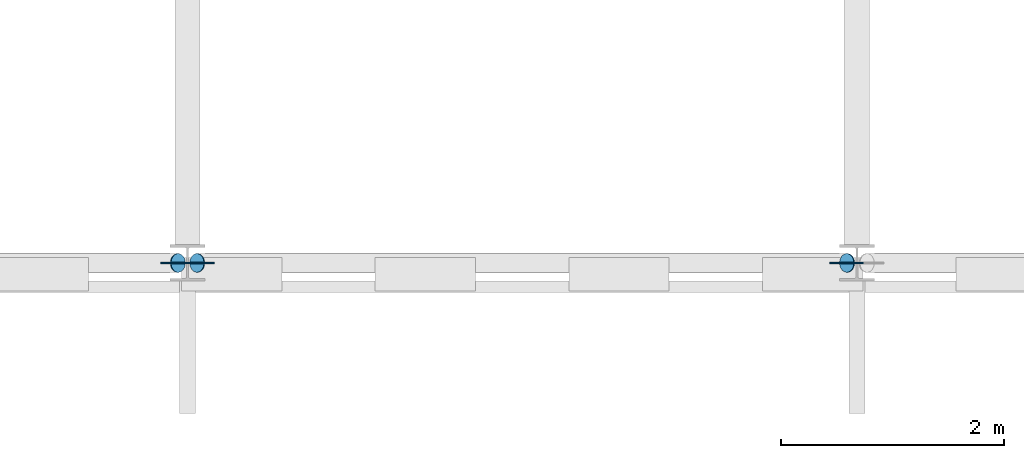
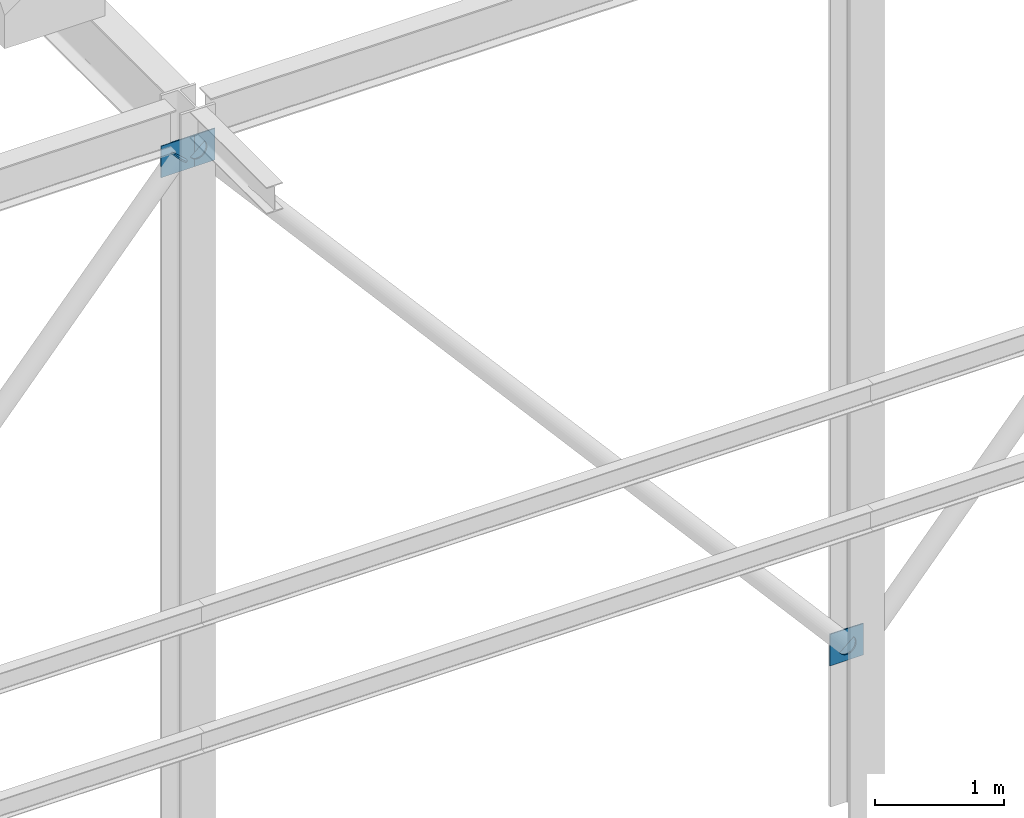
# One storey, part 39 of 57: 6 discrete accessories.
"""IFC4 building model written with IfcOpenShell, lengths in metres."""

import ifcopenshell
import ifcopenshell.guid

model = None  # the IFC model being written
_history = None  # IfcOwnerHistory: only IFC2X3 demands one
_inside = {}  # id of a spatial element -> (the spatial element, [elements in it])
_under = {}  # id of a project, library or spatial element -> (it, [spatial elements below it])
_declared = {}  # id of a project -> (the project, [libraries it declares])
_typed = {}  # id of a type object -> (the type object, [elements of that type])
_made_of = {}  # id of a material, layer set ... -> (it, [elements and type objects made of it])


def new_model(schema):
    """Start an empty IFC model of exactly this schema.

    Asked for "IFC4X3", IfcOpenShell would pick the latest addendum, in which some entities
    have other attributes; the version numbers below select the first issue.
    IFC2X3 requires an IfcOwnerHistory on every rooted entity: one is made here for all.
    """
    global model, _history
    if schema == "IFC4X3":
        model = ifcopenshell.file(schema_version=(4, 3, 0, 0))
    else:
        model = ifcopenshell.file(schema=schema)
    _inside.clear()
    _under.clear()
    _declared.clear()
    _typed.clear()
    _made_of.clear()
    _history = None
    if model.schema == "IFC2X3":
        org = make("IfcOrganization", Name="unknown")
        user = make(
            "IfcPersonAndOrganization",
            ThePerson=make("IfcPerson", FamilyName="unknown"),
            TheOrganization=org,
        )
        app = make(
            "IfcApplication",
            ApplicationDeveloper=org,
            Version="unknown",
            ApplicationFullName="unknown",
            ApplicationIdentifier="unknown",
        )
        _history = make(
            "IfcOwnerHistory",
            OwningUser=user,
            OwningApplication=app,
            ChangeAction="ADDED",
            CreationDate=0,
        )
    return model


def make(cls, **values):
    """One entity of the class cls with the attributes given. An attribute that is None is left unset."""
    return model.create_entity(
        cls, **{name: value for name, value in values.items() if value is not None}
    )


def rooted(cls, **values):
    """An entity with a GlobalId (a new one), such as an element, a storey or a relation."""
    return make(cls, GlobalId=ifcopenshell.guid.new(), OwnerHistory=_history, **values)


def si_unit(unit_type, name, prefix=None):
    """IfcSIUnit, for example si_unit("LENGTHUNIT", "METRE", prefix="MILLI")."""
    return make("IfcSIUnit", UnitType=unit_type, Prefix=prefix, Name=name)


def assignment(units):
    """IfcUnitAssignment: the units of a project."""
    return None if units is None else make("IfcUnitAssignment", Units=units)


def point(xyz):
    """IfcCartesianPoint."""
    return None if xyz is None else make("IfcCartesianPoint", Coordinates=xyz)


def direction(xyz):
    """IfcDirection."""
    return None if xyz is None else make("IfcDirection", DirectionRatios=xyz)


def frame(location, z_axis=None, x_axis=None):
    """IfcAxis2Placement3D, a coordinate frame: its origin and axes. An axis left out is left unset."""
    return make(
        "IfcAxis2Placement3D",
        Location=point(location),
        Axis=direction(z_axis),
        RefDirection=direction(x_axis),
    )


def frame_2d(location, x_axis=None):
    """IfcAxis2Placement2D, a coordinate frame in the plane: its origin and x axis."""
    return make(
        "IfcAxis2Placement2D", Location=point(location), RefDirection=direction(x_axis)
    )


def origin():
    """The frame at (0, 0, 0) with its axes left unset."""
    return frame((0.0, 0.0, 0.0))


def origin_2d():
    """The frame at (0, 0) in the plane with its x axis left unset."""
    return frame_2d((0.0, 0.0))


def place(relative_to, where):
    """IfcLocalPlacement: puts the frame where relative to a parent placement (None: the world)."""
    return make(
        "IfcLocalPlacement", PlacementRelTo=relative_to, RelativePlacement=where
    )


def context(
    kind, dimensions, precision=None, world=None, true_north=None, identifier=None
):
    """IfcGeometricRepresentationContext, for example the 3D "Model" context."""
    return make(
        "IfcGeometricRepresentationContext",
        ContextIdentifier=identifier,
        ContextType=kind,
        CoordinateSpaceDimension=dimensions,
        Precision=precision,
        WorldCoordinateSystem=world,
        TrueNorth=true_north,
    )


def subcontext(parent, identifier, kind, view, scale=None):
    """IfcGeometricRepresentationSubContext, for example "Body" below "Model"."""
    return make(
        "IfcGeometricRepresentationSubContext",
        ContextIdentifier=identifier,
        ContextType=kind,
        ParentContext=parent,
        TargetScale=scale,
        TargetView=view,
    )


def project(units=None, contexts=None):
    """IfcProject with its units and contexts."""
    return rooted(
        "IfcProject",
        Name="project",
        RepresentationContexts=contexts,
        UnitsInContext=assignment(units),
    )


def spatial(cls, under=None, at=None, **own):
    """A site, building, storey or space (cls), placed at a placement, below another one or the project."""
    s = rooted(cls, ObjectPlacement=at, **own)
    if under is not None:
        _under.setdefault(under.id(), (under, []))[1].append(s)
    return s


def profile(cls, at=None, kind="AREA", **sizes):
    """A parametric profile (cls). Its sizes go by their IFC names, for example OverallWidth=200.0."""
    return make(cls, ProfileType=kind, Position=at, **sizes)


def rectangle(**sizes):
    """IfcRectangleProfileDef."""
    return profile("IfcRectangleProfileDef", **sizes)


def circle(**sizes):
    """IfcCircleProfileDef."""
    return profile("IfcCircleProfileDef", **sizes)


def extrude(swept, where, along, depth):
    """IfcExtrudedAreaSolid: the profile swept, set in the frame where, extruded along a direction by depth."""
    return make(
        "IfcExtrudedAreaSolid",
        SweptArea=swept,
        Position=where,
        ExtrudedDirection=direction(along),
        Depth=depth,
    )


def shape(context_of_items, identifier, shape_type, items):
    """IfcShapeRepresentation: the items that make up one representation, for example the "Body"."""
    return make(
        "IfcShapeRepresentation",
        ContextOfItems=context_of_items,
        RepresentationIdentifier=identifier,
        RepresentationType=shape_type,
        Items=items,
    )


def material(Name=None, Category=None):
    """IfcMaterial."""
    return make("IfcMaterial", Name=Name, Category=Category)


def material_profile(
    of_material, cross_section, Name=None, Category=None, Priority=None
):
    """IfcMaterialProfile: a cross section and its material."""
    return make(
        "IfcMaterialProfile",
        Name=Name,
        Material=of_material,
        Profile=cross_section,
        Priority=Priority,
        Category=Category,
    )


def profile_set(profiles, Name=None, composite=None):
    """IfcMaterialProfileSet."""
    return make(
        "IfcMaterialProfileSet",
        Name=Name,
        MaterialProfiles=profiles,
        CompositeProfile=composite,
    )


def made_of(thing, what):
    """Note that an element or type object is made of a material, layer set ...; save() writes the relation."""
    if what is not None:
        _made_of.setdefault(what.id(), (what, []))[1].append(thing)
    return thing


def type_object(cls, material=None, **own):
    """A type object (cls), such as IfcWallType, which elements share."""
    return made_of(rooted(cls, **own), material)


def element(
    cls,
    number,
    at=None,
    inside=None,
    cuts=None,
    type_object=None,
    material=None,
    context=None,
    identifier="Body",
    shape_type=None,
    held_by="IfcProductDefinitionShape",
    body=None,
    shapes=None,
    **own,
):
    """One element of the class cls, such as IfcWall. Its Tag is "e" and its number.

    at: its placement. inside: the storey or other place that contains it. cuts: it is an
    opening in that element (IfcRelVoidsElement). A single representation is given by context,
    identifier, shape_type and body (its items); several are given by shapes. held_by: the class
    of the entity that holds the representations. save() writes the other relations.
    """
    e = rooted(cls, Tag="e%d" % number, ObjectPlacement=at, **own)
    if body is not None:
        shapes = [shape(context, identifier, shape_type, body)]
    if shapes is not None:
        e.Representation = make(held_by, Representations=shapes)
    if inside is not None:
        _inside.setdefault(inside.id(), (inside, []))[1].append(e)
    if cuts is not None:
        rooted(
            "IfcRelVoidsElement", RelatingBuildingElement=cuts, RelatedOpeningElement=e
        )
    if type_object is not None:
        _typed.setdefault(type_object.id(), (type_object, []))[1].append(e)
    return made_of(e, material)


def aggregate(whole, parts):
    """IfcRelAggregates: a whole, such as a stair, and the parts it consists of."""
    return rooted("IfcRelAggregates", RelatingObject=whole, RelatedObjects=parts)


def save(model, path):
    """Write the relations noted so far, then the file.

    IfcRelAggregates (storeys below a building ...), IfcRelContainedInSpatialStructure (elements
    in a storey), IfcRelDefinesByType, IfcRelAssociatesMaterial and IfcRelDeclares: one each for
    every whole, place, type object, material and project.
    """
    for whole, parts in _under.values():
        aggregate(whole, parts)
    for where, things in _inside.values():
        rooted(
            "IfcRelContainedInSpatialStructure",
            RelatedElements=things,
            RelatingStructure=where,
        )
    for kind, things in _typed.values():
        rooted("IfcRelDefinesByType", RelatedObjects=things, RelatingType=kind)
    for what, things in _made_of.values():
        rooted("IfcRelAssociatesMaterial", RelatedObjects=things, RelatingMaterial=what)
    for by, libraries in _declared.values():
        rooted("IfcRelDeclares", RelatingContext=by, RelatedDefinitions=libraries)
    model.write(path)


model = new_model("IFC4")

# Units and contexts
model_context = context("Model", 3, precision=1e-05, world=origin(), true_north=direction((0.0, 1.0)))
body_context = subcontext(model_context, "Body", "Model", "MODEL_VIEW")
ifc_project = project(units=[si_unit("LENGTHUNIT", "METRE"), si_unit("AREAUNIT", "SQUARE_METRE"), si_unit("VOLUMEUNIT", "CUBIC_METRE"), si_unit("PLANEANGLEUNIT", "RADIAN"), si_unit("MASSUNIT", "GRAM", prefix="KILO")], contexts=[model_context])

# Site, building, storey
site_placement = place(None, origin())
site = spatial("IfcSite", under=ifc_project, at=site_placement, CompositionType="ELEMENT")
building_placement = place(site_placement, origin())
building = spatial("IfcBuilding", under=site, at=building_placement, Name="Saffron Lane Theatres", CompositionType="ELEMENT")
storey_placement = place(building_placement, frame((0.0, 0.0, 28.0)))
storey = spatial("IfcBuildingStorey", under=building, at=storey_placement, Name="Upper Roof", CompositionType="ELEMENT", Elevation=28.0)

# Discrete accessories
ifc_material_1 = material(Name="Steel Grade 350", Category="steel")
ifc_material_profile_1 = material_profile(ifc_material_1, rectangle(XDim=0.300048828125, YDim=0.300048828125, at=origin_2d()))
ifc_profile_set_1 = profile_set([ifc_material_profile_1], Name="Steel Grade 350")
discrete_accessory_type_1 = type_object("IfcDiscreteAccessoryType", Name="ST-GUSSET CONNECTION PLATE", PredefinedType="BRACKET", material=ifc_profile_set_1)
for number, where, z_axis, x_axis, name in (
    (1, (29.908447265625, 30.2451171875, 8.338134765625), (0.0, 1.0, 0.0), (-1.0, 0.0, 0.0), "GB104"),
    (2, (35.908447265625, 30.2451171875, 1.60595703125), (0.0, 1.0, 0.0), (-1.0, 0.0, 0.0), "GB107"),
    (3, (30.091552734375, 30.2451171875, 8.338134765625), (0.0, 1.0, 0.0), (-1.0, 0.0, 0.0), "GB108"),
):
    element("IfcDiscreteAccessory", number, at=place(storey_placement, frame(where, z_axis=z_axis, x_axis=x_axis)), inside=storey, type_object=discrete_accessory_type_1, Name=name, PredefinedType="BRACKET", context=body_context, shape_type="SweptSolid", body=[
        extrude(rectangle(XDim=0.300048828125, YDim=0.300048828125, at=origin_2d()), origin(), (0.0, 0.0, 1.0), 0.009765625),
    ])
ifc_material_2 = material(Name="Steel Grade 350", Category="steel")
ifc_material_profile_2 = material_profile(ifc_material_2, circle(Radius=0.084228515625, at=origin_2d()))
ifc_profile_set_2 = profile_set([ifc_material_profile_2], Name="Steel Grade 350")
discrete_accessory_type_2 = type_object("IfcDiscreteAccessoryType", Name="ST-STEEL END CAP 168.3x6.4 CHS", PredefinedType="ANCHORPLATE", material=ifc_profile_set_2)
for number, where, z_axis, x_axis, name in (
    (4, (29.908447265625, 30.25, 8.338134765625), (0.654151932932, 0.0, 0.756363172452), (0.0, 1.0, 0.0), "EC50"),
    (5, (35.916259765625, 30.25, 1.596923828125), (-0.654151932932, 0.0, 0.756363172452), (0.0, -1.0, 0.0), "EC53"),
    (6, (30.091552734375, 30.25, 8.338134765625), (-0.654151932932, 0.0, 0.756363172452), (0.0, -1.0, 0.0), "EC54"),
):
    element("IfcDiscreteAccessory", number, at=place(storey_placement, frame(where, z_axis=z_axis, x_axis=x_axis)), inside=storey, type_object=discrete_accessory_type_2, Name=name, PredefinedType="ANCHORPLATE", context=body_context, shape_type="SweptSolid", body=[
        extrude(circle(Radius=0.084228515625, at=origin_2d()), origin(), (0.0, 0.0, 1.0), 0.011962890625),
    ])

save(model, "model.ifc")
